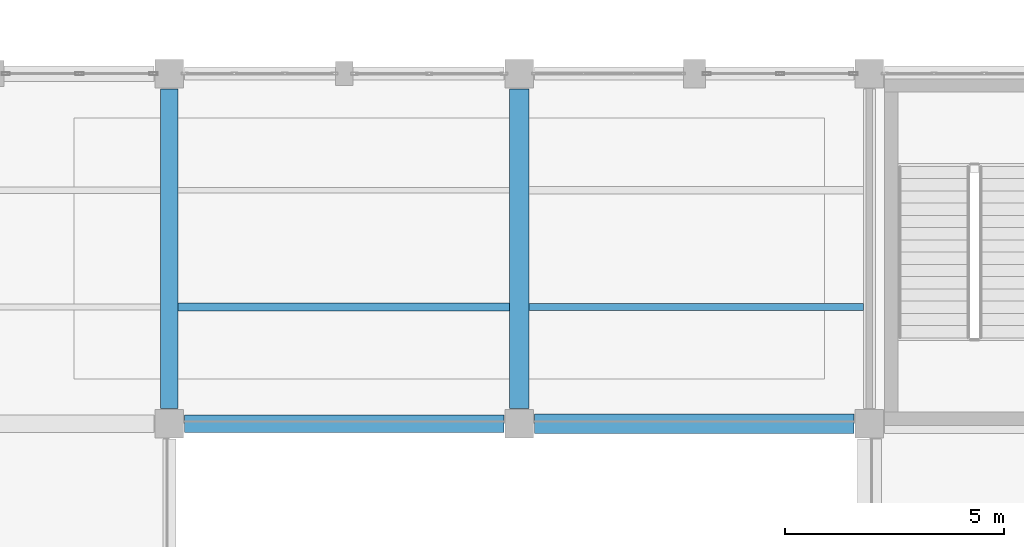
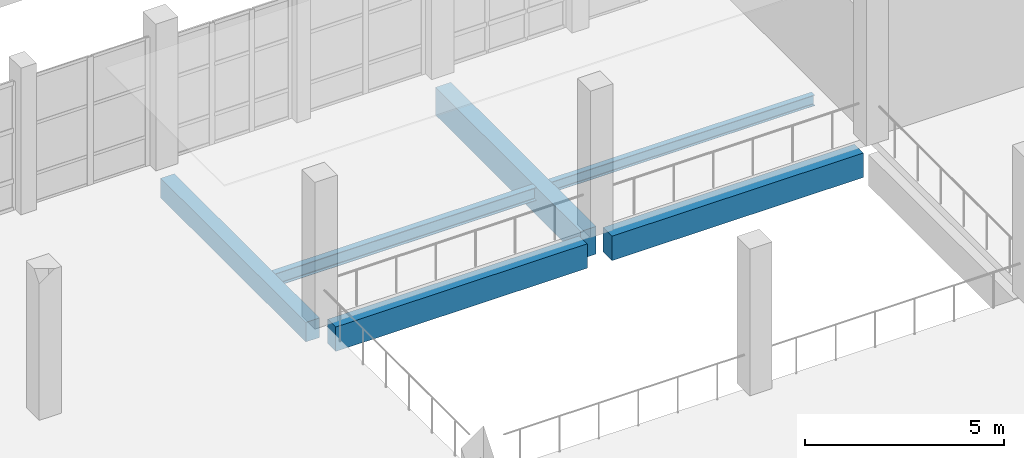
# One storey, part 23 of 183: 6 beams.
"""IFC4 building model written with IfcOpenShell, lengths in metres."""

from ifc_helpers import new_model, si_unit, direction, frame, origin, origin_2d, place, context, subcontext, project, spatial, rectangle, i_section, extrude, material, material_profile, profile_set, type_object, element, save


model = new_model("IFC4")

# Units and contexts
model_context = context("Model", 3, precision=1e-05, world=origin(), true_north=direction((0.0, 1.0)))
body_context = subcontext(model_context, "Body", "Model", "MODEL_VIEW")
ifc_project = project(units=[si_unit("LENGTHUNIT", "METRE"), si_unit("AREAUNIT", "SQUARE_METRE"), si_unit("VOLUMEUNIT", "CUBIC_METRE"), si_unit("PLANEANGLEUNIT", "RADIAN"), si_unit("MASSUNIT", "GRAM", prefix="KILO")], contexts=[model_context])

# Site, building, storey
site_placement = place(None, origin())
site = spatial("IfcSite", under=ifc_project, at=site_placement, CompositionType="ELEMENT")
building_placement = place(site_placement, origin())
building = spatial("IfcBuilding", under=site, at=building_placement, Name="Luwemba Playhouse", CompositionType="ELEMENT")
storey_placement = place(building_placement, frame((0.0, 0.0, 4.800048828125)))
storey = spatial("IfcBuildingStorey", under=building, at=storey_placement, Name="L01", CompositionType="ELEMENT", Elevation=4.800048828125)

# Beams
ifc_material_1 = material(Name="Concrete C40/50", Category="concrete")
ifc_material_profile_1 = material_profile(ifc_material_1, rectangle(XDim=0.39990234375, YDim=0.60009765625, at=origin_2d()))
ifc_profile_set_1 = profile_set([ifc_material_profile_1], Name="Concrete C40/50")
beam_type_1 = type_object("IfcBeamType", Name="BM-RB01", PredefinedType="BEAM", material=ifc_profile_set_1)
beam_1_placement = place(storey_placement, frame((20.0, 19.35009765625, -0.550048828125), z_axis=(0.0, 1.0, 0.0), x_axis=(-1.0, 0.0, 0.0)))
element("IfcBeam", 1, at=beam_1_placement, inside=storey, type_object=beam_type_1, Name="L01 transverse girder 0504", PredefinedType="BEAM", context=body_context, shape_type="SweptSolid", body=[
    extrude(rectangle(XDim=0.39990234375, YDim=0.60009765625, at=origin_2d()), origin(), (0.0, 0.0, 1.0), 7.2998046875),
])
ifc_material_profile_2 = material_profile(ifc_material_1, rectangle(XDim=0.39990234375, YDim=0.75, at=origin_2d()))
ifc_profile_set_2 = profile_set([ifc_material_profile_2], Name="Concrete C40/50")
beam_type_2 = type_object("IfcBeamType", Name="BM-RB03", PredefinedType="BEAM", material=ifc_profile_set_2)
beam_2_placement = place(storey_placement, frame((20.35009765625, 19.0, -0.625), z_axis=(1.0, 0.0, 0.0), x_axis=(0.0, 1.0, 0.0)))
element("IfcBeam", 2, at=beam_2_placement, inside=storey, type_object=beam_type_2, Name="L01 grid girder 0484", PredefinedType="BEAM", context=body_context, shape_type="SweptSolid", body=[
    extrude(rectangle(XDim=0.39990234375, YDim=0.75, at=origin_2d()), origin(), (0.0, 0.0, 1.0), 7.2998046875),
])
ifc_material_profile_3 = material_profile(ifc_material_1, rectangle(XDim=0.449951171875, YDim=0.75, at=origin_2d()))
ifc_profile_set_3 = profile_set([ifc_material_profile_3], Name="Concrete C40/50")
beam_type_3 = type_object("IfcBeamType", Name="BM-RB04", PredefinedType="BEAM", material=ifc_profile_set_3)
beam_3_placement = place(storey_placement, frame((28.35009765625, 19.0, -0.625), z_axis=(1.0, 0.0, 0.0), x_axis=(0.0, 1.0, 0.0)))
element("IfcBeam", 3, at=beam_3_placement, inside=storey, type_object=beam_type_3, Name="L01 grid girder 0485", PredefinedType="BEAM", context=body_context, shape_type="SweptSolid", body=[
    extrude(rectangle(XDim=0.449951171875, YDim=0.75, at=origin_2d()), origin(), (0.0, 0.0, 1.0), 7.2998046875),
])
ifc_material_profile_4 = material_profile(ifc_material_1, rectangle(XDim=0.449951171875, YDim=0.85009765625, at=origin_2d()))
ifc_profile_set_4 = profile_set([ifc_material_profile_4], Name="Concrete C40/50")
beam_type_4 = type_object("IfcBeamType", Name="BM-RB05", PredefinedType="BEAM", material=ifc_profile_set_4)
beam_4_placement = place(storey_placement, frame((28.0, 19.35009765625, -0.675048828125), z_axis=(0.0, 1.0, 0.0), x_axis=(-1.0, 0.0, 0.0)))
element("IfcBeam", 4, at=beam_4_placement, inside=storey, type_object=beam_type_4, Name="L01 transverse girder 0506", PredefinedType="BEAM", context=body_context, shape_type="SweptSolid", body=[
    extrude(rectangle(XDim=0.449951171875, YDim=0.85009765625, at=origin_2d()), origin(), (0.0, 0.0, 1.0), 7.2998046875),
])
ifc_material_2 = material(Name="Steel S355", Category="steel")
ifc_material_profile_5 = material_profile(ifc_material_2, i_section(OverallWidth=0.159912109375, OverallDepth=0.330078125, WebThickness=0.007568359375, FlangeThickness=0.011474609375, FilletRadius=0.01806640625, at=origin_2d()))
ifc_profile_set_5 = profile_set([ifc_material_profile_5], Name="Steel S355")
beam_type_5 = type_object("IfcBeamType", Name="BM-SJ06", PredefinedType="JOIST", material=ifc_profile_set_5)
beam_5_placement = place(storey_placement, frame((28.220947265625, 21.666748046875, -0.4150390625), z_axis=(1.0, 0.0, 0.0), x_axis=(0.0, 1.0, 0.0)))
element("IfcBeam", 5, at=beam_5_placement, inside=storey, type_object=beam_type_5, Name="L01 composite floor joist 0289", PredefinedType="JOIST", context=body_context, shape_type="SweptSolid", body=[
    extrude(i_section(OverallWidth=0.159912109375, OverallDepth=0.330078125, WebThickness=0.007568359375, FlangeThickness=0.011474609375, FilletRadius=0.01806640625, at=origin_2d()), origin(), (0.0, 0.0, 1.0), 7.64306640625),
])
ifc_material_profile_6 = material_profile(ifc_material_2, i_section(OverallWidth=0.179931640625, OverallDepth=0.39990234375, WebThickness=0.008544921875, FlangeThickness=0.013427734375, FilletRadius=0.02099609375, at=origin_2d()))
ifc_profile_set_6 = profile_set([ifc_material_profile_6], Name="Steel S355")
beam_type_6 = type_object("IfcBeamType", Name="BM-SJ08", PredefinedType="JOIST", material=ifc_profile_set_6)
beam_6_placement = place(storey_placement, frame((20.196044921875, 21.666748046875, -0.449951171875), z_axis=(1.0, 0.0, 0.0), x_axis=(0.0, 1.0, 0.0)))
element("IfcBeam", 6, at=beam_6_placement, inside=storey, type_object=beam_type_6, Name="L01 composite floor joist 0285", PredefinedType="JOIST", context=body_context, shape_type="SweptSolid", body=[
    extrude(i_section(OverallWidth=0.179931640625, OverallDepth=0.39990234375, WebThickness=0.008544921875, FlangeThickness=0.013427734375, FilletRadius=0.02099609375, at=origin_2d()), origin(), (0.0, 0.0, 1.0), 7.5830078125),
])

save(model, "model.ifc")
